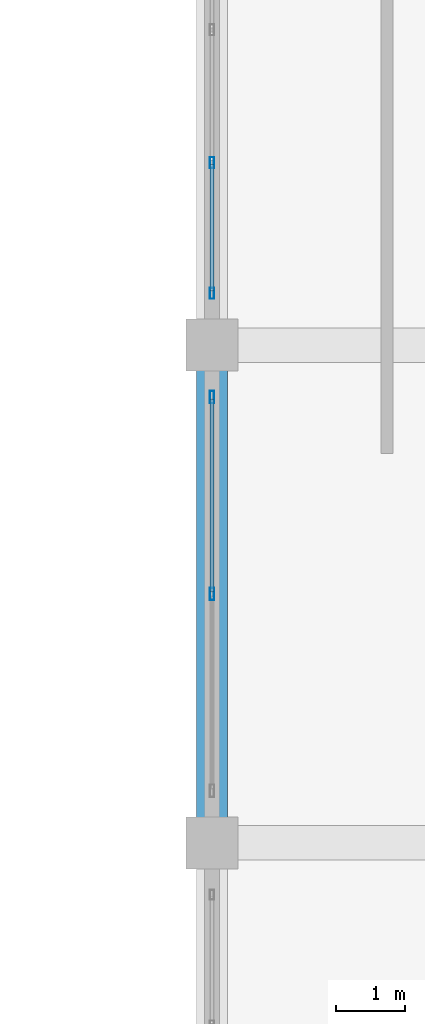
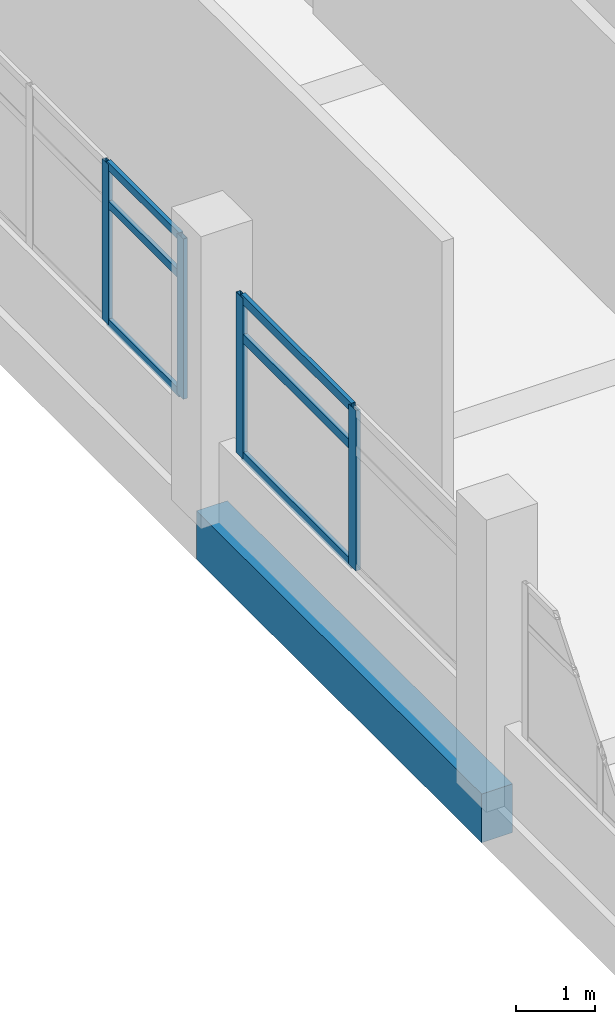
# One storey, part 49 of 141: 10 members, 1 beam, 2 elements without a shape of their own.
"""IFC4 building model written with IfcOpenShell, lengths in metres."""

import ifcopenshell
import ifcopenshell.guid

model = None  # the IFC model being written
_history = None  # IfcOwnerHistory: only IFC2X3 demands one
_inside = {}  # id of a spatial element -> (the spatial element, [elements in it])
_under = {}  # id of a project, library or spatial element -> (it, [spatial elements below it])
_declared = {}  # id of a project -> (the project, [libraries it declares])
_typed = {}  # id of a type object -> (the type object, [elements of that type])
_made_of = {}  # id of a material, layer set ... -> (it, [elements and type objects made of it])


def new_model(schema):
    """Start an empty IFC model of exactly this schema.

    Asked for "IFC4X3", IfcOpenShell would pick the latest addendum, in which some entities
    have other attributes; the version numbers below select the first issue.
    IFC2X3 requires an IfcOwnerHistory on every rooted entity: one is made here for all.
    """
    global model, _history
    if schema == "IFC4X3":
        model = ifcopenshell.file(schema_version=(4, 3, 0, 0))
    else:
        model = ifcopenshell.file(schema=schema)
    _inside.clear()
    _under.clear()
    _declared.clear()
    _typed.clear()
    _made_of.clear()
    _history = None
    if model.schema == "IFC2X3":
        org = make("IfcOrganization", Name="unknown")
        user = make(
            "IfcPersonAndOrganization",
            ThePerson=make("IfcPerson", FamilyName="unknown"),
            TheOrganization=org,
        )
        app = make(
            "IfcApplication",
            ApplicationDeveloper=org,
            Version="unknown",
            ApplicationFullName="unknown",
            ApplicationIdentifier="unknown",
        )
        _history = make(
            "IfcOwnerHistory",
            OwningUser=user,
            OwningApplication=app,
            ChangeAction="ADDED",
            CreationDate=0,
        )
    return model


def make(cls, **values):
    """One entity of the class cls with the attributes given. An attribute that is None is left unset."""
    return model.create_entity(
        cls, **{name: value for name, value in values.items() if value is not None}
    )


def rooted(cls, **values):
    """An entity with a GlobalId (a new one), such as an element, a storey or a relation."""
    return make(cls, GlobalId=ifcopenshell.guid.new(), OwnerHistory=_history, **values)


def si_unit(unit_type, name, prefix=None):
    """IfcSIUnit, for example si_unit("LENGTHUNIT", "METRE", prefix="MILLI")."""
    return make("IfcSIUnit", UnitType=unit_type, Prefix=prefix, Name=name)


def assignment(units):
    """IfcUnitAssignment: the units of a project."""
    return None if units is None else make("IfcUnitAssignment", Units=units)


def point(xyz):
    """IfcCartesianPoint."""
    return None if xyz is None else make("IfcCartesianPoint", Coordinates=xyz)


def direction(xyz):
    """IfcDirection."""
    return None if xyz is None else make("IfcDirection", DirectionRatios=xyz)


def frame(location, z_axis=None, x_axis=None):
    """IfcAxis2Placement3D, a coordinate frame: its origin and axes. An axis left out is left unset."""
    return make(
        "IfcAxis2Placement3D",
        Location=point(location),
        Axis=direction(z_axis),
        RefDirection=direction(x_axis),
    )


def frame_2d(location, x_axis=None):
    """IfcAxis2Placement2D, a coordinate frame in the plane: its origin and x axis."""
    return make(
        "IfcAxis2Placement2D", Location=point(location), RefDirection=direction(x_axis)
    )


def origin():
    """The frame at (0, 0, 0) with its axes left unset."""
    return frame((0.0, 0.0, 0.0))


def origin_2d():
    """The frame at (0, 0) in the plane with its x axis left unset."""
    return frame_2d((0.0, 0.0))


def place(relative_to, where):
    """IfcLocalPlacement: puts the frame where relative to a parent placement (None: the world)."""
    return make(
        "IfcLocalPlacement", PlacementRelTo=relative_to, RelativePlacement=where
    )


def context(
    kind, dimensions, precision=None, world=None, true_north=None, identifier=None
):
    """IfcGeometricRepresentationContext, for example the 3D "Model" context."""
    return make(
        "IfcGeometricRepresentationContext",
        ContextIdentifier=identifier,
        ContextType=kind,
        CoordinateSpaceDimension=dimensions,
        Precision=precision,
        WorldCoordinateSystem=world,
        TrueNorth=true_north,
    )


def subcontext(parent, identifier, kind, view, scale=None):
    """IfcGeometricRepresentationSubContext, for example "Body" below "Model"."""
    return make(
        "IfcGeometricRepresentationSubContext",
        ContextIdentifier=identifier,
        ContextType=kind,
        ParentContext=parent,
        TargetScale=scale,
        TargetView=view,
    )


def project(units=None, contexts=None):
    """IfcProject with its units and contexts."""
    return rooted(
        "IfcProject",
        Name="project",
        RepresentationContexts=contexts,
        UnitsInContext=assignment(units),
    )


def spatial(cls, under=None, at=None, **own):
    """A site, building, storey or space (cls), placed at a placement, below another one or the project."""
    s = rooted(cls, ObjectPlacement=at, **own)
    if under is not None:
        _under.setdefault(under.id(), (under, []))[1].append(s)
    return s


def profile(cls, at=None, kind="AREA", **sizes):
    """A parametric profile (cls). Its sizes go by their IFC names, for example OverallWidth=200.0."""
    return make(cls, ProfileType=kind, Position=at, **sizes)


def rectangle(**sizes):
    """IfcRectangleProfileDef."""
    return profile("IfcRectangleProfileDef", **sizes)


def hollow_rectangle(**sizes):
    """IfcRectangleHollowProfileDef."""
    return profile("IfcRectangleHollowProfileDef", **sizes)


def extrude(swept, where, along, depth):
    """IfcExtrudedAreaSolid: the profile swept, set in the frame where, extruded along a direction by depth."""
    return make(
        "IfcExtrudedAreaSolid",
        SweptArea=swept,
        Position=where,
        ExtrudedDirection=direction(along),
        Depth=depth,
    )


def shape(context_of_items, identifier, shape_type, items):
    """IfcShapeRepresentation: the items that make up one representation, for example the "Body"."""
    return make(
        "IfcShapeRepresentation",
        ContextOfItems=context_of_items,
        RepresentationIdentifier=identifier,
        RepresentationType=shape_type,
        Items=items,
    )


def material(Name=None, Category=None):
    """IfcMaterial."""
    return make("IfcMaterial", Name=Name, Category=Category)


def layer(
    of_material, thickness, ventilated=None, Name=None, Category=None, Priority=None
):
    """IfcMaterialLayer: one layer of a wall or slab, of a material (None: an air gap)."""
    return make(
        "IfcMaterialLayer",
        Material=of_material,
        LayerThickness=thickness,
        IsVentilated=ventilated,
        Name=Name,
        Category=Category,
        Priority=Priority,
    )


def layer_set(layers, Name=None):
    """IfcMaterialLayerSet."""
    return make("IfcMaterialLayerSet", MaterialLayers=layers, LayerSetName=Name)


def material_profile(
    of_material, cross_section, Name=None, Category=None, Priority=None
):
    """IfcMaterialProfile: a cross section and its material."""
    return make(
        "IfcMaterialProfile",
        Name=Name,
        Material=of_material,
        Profile=cross_section,
        Priority=Priority,
        Category=Category,
    )


def profile_set(profiles, Name=None, composite=None):
    """IfcMaterialProfileSet."""
    return make(
        "IfcMaterialProfileSet",
        Name=Name,
        MaterialProfiles=profiles,
        CompositeProfile=composite,
    )


def made_of(thing, what):
    """Note that an element or type object is made of a material, layer set ...; save() writes the relation."""
    if what is not None:
        _made_of.setdefault(what.id(), (what, []))[1].append(thing)
    return thing


def type_object(cls, material=None, **own):
    """A type object (cls), such as IfcWallType, which elements share."""
    return made_of(rooted(cls, **own), material)


def element(
    cls,
    number,
    at=None,
    inside=None,
    cuts=None,
    type_object=None,
    material=None,
    context=None,
    identifier="Body",
    shape_type=None,
    held_by="IfcProductDefinitionShape",
    body=None,
    shapes=None,
    **own,
):
    """One element of the class cls, such as IfcWall. Its Tag is "e" and its number.

    at: its placement. inside: the storey or other place that contains it. cuts: it is an
    opening in that element (IfcRelVoidsElement). A single representation is given by context,
    identifier, shape_type and body (its items); several are given by shapes. held_by: the class
    of the entity that holds the representations. save() writes the other relations.
    """
    e = rooted(cls, Tag="e%d" % number, ObjectPlacement=at, **own)
    if body is not None:
        shapes = [shape(context, identifier, shape_type, body)]
    if shapes is not None:
        e.Representation = make(held_by, Representations=shapes)
    if inside is not None:
        _inside.setdefault(inside.id(), (inside, []))[1].append(e)
    if cuts is not None:
        rooted(
            "IfcRelVoidsElement", RelatingBuildingElement=cuts, RelatedOpeningElement=e
        )
    if type_object is not None:
        _typed.setdefault(type_object.id(), (type_object, []))[1].append(e)
    return made_of(e, material)


def aggregate(whole, parts):
    """IfcRelAggregates: a whole, such as a stair, and the parts it consists of."""
    return rooted("IfcRelAggregates", RelatingObject=whole, RelatedObjects=parts)


def save(model, path):
    """Write the relations noted so far, then the file.

    IfcRelAggregates (storeys below a building ...), IfcRelContainedInSpatialStructure (elements
    in a storey), IfcRelDefinesByType, IfcRelAssociatesMaterial and IfcRelDeclares: one each for
    every whole, place, type object, material and project.
    """
    for whole, parts in _under.values():
        aggregate(whole, parts)
    for where, things in _inside.values():
        rooted(
            "IfcRelContainedInSpatialStructure",
            RelatedElements=things,
            RelatingStructure=where,
        )
    for kind, things in _typed.values():
        rooted("IfcRelDefinesByType", RelatedObjects=things, RelatingType=kind)
    for what, things in _made_of.values():
        rooted("IfcRelAssociatesMaterial", RelatedObjects=things, RelatingMaterial=what)
    for by, libraries in _declared.values():
        rooted("IfcRelDeclares", RelatingContext=by, RelatedDefinitions=libraries)
    model.write(path)


model = new_model("IFC4")

# Units and contexts
model_context = context("Model", 3, precision=1e-05, world=origin(), true_north=direction((0.0, 1.0)))
body_context = subcontext(model_context, "Body", "Model", "MODEL_VIEW")
ifc_project = project(units=[si_unit("LENGTHUNIT", "METRE"), si_unit("AREAUNIT", "SQUARE_METRE"), si_unit("VOLUMEUNIT", "CUBIC_METRE"), si_unit("PLANEANGLEUNIT", "RADIAN"), si_unit("MASSUNIT", "GRAM", prefix="KILO")], contexts=[model_context])

# Site, building, storey
site_placement = place(None, origin())
site = spatial("IfcSite", under=ifc_project, at=site_placement, CompositionType="ELEMENT")
building_placement = place(site_placement, origin())
building = spatial("IfcBuilding", under=site, at=building_placement, Name="Seraya Terrace Polytechnic", CompositionType="ELEMENT")
storey_placement = place(building_placement, frame((0.0, 0.0, 14.39990234375)))
storey = spatial("IfcBuildingStorey", under=building, at=storey_placement, Name="L03", CompositionType="ELEMENT", Elevation=14.39990234375)

# Beam
ifc_material_1 = material(Name="Concrete C40/50", Category="concrete")
ifc_material_profile_1 = material_profile(ifc_material_1, rectangle(XDim=0.449951171875, YDim=0.75, at=origin_2d()), Name="RC 450x750")
ifc_profile_set_1 = profile_set([ifc_material_profile_1], Name="Concrete C40/50")
beam_type = type_object("IfcBeamType", Name="BM-08", PredefinedType="BEAM", material=ifc_profile_set_1)
beam_placement = place(storey_placement, frame((79.199951171875, 50.39990234375, -0.375), z_axis=(0.0, 1.0, 0.0), x_axis=(-1.0, 0.0, 0.0)))
element("IfcBeam", 1, at=beam_placement, inside=storey, type_object=beam_type, Name="Beam BM-08 L03 Y (79.2, 50.4..57.6)", PredefinedType="BEAM", context=body_context, shape_type="SweptSolid", body=[
    extrude(rectangle(XDim=0.449951171875, YDim=0.75, at=origin_2d()), origin(), (0.0, 0.0, 1.0), 7.2001953125),
])

# Curtain wall, members
ifc_material_2 = material(Name="Anodised aluminium EN AW-6063 T6", Category="aluminium")
ifc_layer_1 = layer(ifc_material_2, 0.179931640625, Name="CW-31")
ifc_layer_set_1 = layer_set([ifc_layer_1], Name="Anodised aluminium EN AW-6063 T6")
curtain_wall_type_1 = type_object("IfcCurtainWallType", Name="CW-31", PredefinedType="NOTDEFINED", material=ifc_layer_set_1)
curtain_wall_1_placement = place(storey_placement, origin())
curtain_wall_1 = element("IfcCurtainWall", 2, at=curtain_wall_1_placement, inside=storey, type_object=curtain_wall_type_1, Name="Unitised curtain wall CW-31 (CW-L03-139)", PredefinedType="NOTDEFINED")
ifc_material_profile_2 = material_profile(ifc_material_2, hollow_rectangle(XDim=0.06494140625, YDim=0.179931640625, WallThickness=0.00390625, at=origin_2d()), Name="RHS 180x65x4.0")
ifc_profile_set_2 = profile_set([ifc_material_profile_2], Name="Anodised aluminium EN AW-6063 T6")
member_type_1 = type_object("IfcMemberType", Name="CWM-01", PredefinedType="MULLION", material=ifc_profile_set_2)
member_1_placement = place(storey_placement, frame((79.199951171875, 54.0, 1.239990234375), z_axis=(0.0, 0.0, 1.0), x_axis=(-1.0, 0.0, 0.0)))
member_1 = element("IfcMember", 3, at=member_1_placement, type_object=member_type_1, Name="CW-31 mullion 2", PredefinedType="MULLION", context=body_context, shape_type="SweptSolid", body=[
    extrude(hollow_rectangle(XDim=0.06494140625, YDim=0.179931640625, WallThickness=0.00390625, at=origin_2d()), origin(), (0.0, 0.0, 1.0), 2.47021484375),
])
member_2_placement = place(storey_placement, frame((79.199951171875, 56.847412109375, 1.239990234375), z_axis=(0.0, 0.0, 1.0), x_axis=(-1.0, 0.0, 0.0)))
member_2 = element("IfcMember", 4, at=member_2_placement, type_object=member_type_1, Name="CW-31 mullion 3", PredefinedType="MULLION", context=body_context, shape_type="SweptSolid", body=[
    extrude(hollow_rectangle(XDim=0.06494140625, YDim=0.179931640625, WallThickness=0.00390625, at=origin_2d()), origin(), (0.0, 0.0, 1.0), 2.47021484375),
])

ifc_layer_2 = layer(ifc_material_2, 0.179931640625, Name="CW-32")
ifc_layer_set_2 = layer_set([ifc_layer_2], Name="Anodised aluminium EN AW-6063 T6")
curtain_wall_type_2 = type_object("IfcCurtainWallType", Name="CW-32", PredefinedType="NOTDEFINED", material=ifc_layer_set_2)
curtain_wall_2_placement = place(storey_placement, origin())
curtain_wall_2 = element("IfcCurtainWall", 5, at=curtain_wall_2_placement, inside=storey, type_object=curtain_wall_type_2, Name="Unitised curtain wall CW-32 (CW-L03-140)", PredefinedType="NOTDEFINED")
ifc_material_profile_3 = material_profile(ifc_material_2, hollow_rectangle(XDim=0.06005859375, YDim=0.159912109375, WallThickness=0.00341796875, at=origin_2d()), Name="RHS 160x60x3.5")
ifc_profile_set_3 = profile_set([ifc_material_profile_3], Name="Anodised aluminium EN AW-6063 T6")
member_type_2 = type_object("IfcMemberType", Name="CWM-02", PredefinedType="MULLION", material=ifc_profile_set_3)
member_3_placement = place(storey_placement, frame((79.199951171875, 58.35009765625, 1.239990234375), z_axis=(0.0, 0.0, 1.0), x_axis=(-1.0, 0.0, 0.0)))
member_3 = element("IfcMember", 6, at=member_3_placement, type_object=member_type_2, Name="CW-32 mullion 1", PredefinedType="MULLION", context=body_context, shape_type="SweptSolid", body=[
    extrude(hollow_rectangle(XDim=0.06005859375, YDim=0.159912109375, WallThickness=0.00341796875, at=origin_2d()), origin(), (0.0, 0.0, 1.0), 2.47021484375),
])
member_4_placement = place(storey_placement, frame((79.199951171875, 60.239990234375, 1.239990234375), z_axis=(0.0, 0.0, 1.0), x_axis=(-1.0, 0.0, 0.0)))
member_4 = element("IfcMember", 7, at=member_4_placement, type_object=member_type_2, Name="CW-32 mullion 2", PredefinedType="MULLION", context=body_context, shape_type="SweptSolid", body=[
    extrude(hollow_rectangle(XDim=0.06005859375, YDim=0.159912109375, WallThickness=0.00341796875, at=origin_2d()), origin(), (0.0, 0.0, 1.0), 2.47021484375),
])

# Member
ifc_material_profile_4 = material_profile(ifc_material_2, hollow_rectangle(XDim=0.06005859375, YDim=0.139892578125, WallThickness=0.00341796875, at=origin_2d()), Name="RHS 140x60x3.5")
ifc_profile_set_4 = profile_set([ifc_material_profile_4], Name="Anodised aluminium EN AW-6063 T6")
member_type_3 = type_object("IfcMemberType", Name="CWT-01", PredefinedType="USERDEFINED", material=ifc_profile_set_4)
member_5_placement = place(storey_placement, frame((79.199951171875, 54.032470703125, 1.27001953125), z_axis=(0.0, 1.0, 0.0), x_axis=(-1.0, 0.0, 0.0)))
member_5 = element("IfcMember", 8, at=member_5_placement, type_object=member_type_3, Name="CW-31 transom 2.1", ObjectType="TRANSOM", PredefinedType="USERDEFINED", context=body_context, shape_type="SweptSolid", body=[
    extrude(hollow_rectangle(XDim=0.06005859375, YDim=0.139892578125, WallThickness=0.00341796875, at=origin_2d()), origin(), (0.0, 0.0, 1.0), 2.782470703125),
])

member_6_placement = place(storey_placement, frame((79.199951171875, 54.032470703125, 3.090087890625), z_axis=(0.0, 1.0, 0.0), x_axis=(-1.0, 0.0, 0.0)))
member_6 = element("IfcMember", 9, at=member_6_placement, type_object=member_type_3, Name="CW-31 transom 2.2", ObjectType="TRANSOM", PredefinedType="USERDEFINED", context=body_context, shape_type="SweptSolid", body=[
    extrude(hollow_rectangle(XDim=0.06005859375, YDim=0.139892578125, WallThickness=0.00341796875, at=origin_2d()), origin(), (0.0, 0.0, 1.0), 2.782470703125),
])

member_7_placement = place(storey_placement, frame((79.199951171875, 54.032470703125, 3.68017578125), z_axis=(0.0, 1.0, 0.0), x_axis=(-1.0, 0.0, 0.0)))
member_7 = element("IfcMember", 10, at=member_7_placement, type_object=member_type_3, Name="CW-31 transom 2.3", ObjectType="TRANSOM", PredefinedType="USERDEFINED", context=body_context, shape_type="SweptSolid", body=[
    extrude(hollow_rectangle(XDim=0.06005859375, YDim=0.139892578125, WallThickness=0.00341796875, at=origin_2d()), origin(), (0.0, 0.0, 1.0), 2.782470703125),
])

aggregate(curtain_wall_1, [member_1, member_2, member_5, member_6, member_7])

ifc_material_profile_5 = material_profile(ifc_material_2, hollow_rectangle(XDim=0.06005859375, YDim=0.1201171875, WallThickness=0.003173828125, at=origin_2d()), Name="RHS 120x60x3.2")
ifc_profile_set_5 = profile_set([ifc_material_profile_5], Name="Anodised aluminium EN AW-6063 T6")
member_type_4 = type_object("IfcMemberType", Name="CWT-02", PredefinedType="USERDEFINED", material=ifc_profile_set_5)
member_8_placement = place(storey_placement, frame((79.199951171875, 58.3798828125, 1.27001953125), z_axis=(0.0, 1.0, 0.0), x_axis=(-1.0, 0.0, 0.0)))
member_8 = element("IfcMember", 11, at=member_8_placement, type_object=member_type_4, Name="CW-32 transom 1.1", ObjectType="TRANSOM", PredefinedType="USERDEFINED", context=body_context, shape_type="SweptSolid", body=[
    extrude(hollow_rectangle(XDim=0.06005859375, YDim=0.1201171875, WallThickness=0.003173828125, at=origin_2d()), origin(), (0.0, 0.0, 1.0), 1.830078125),
])

member_9_placement = place(storey_placement, frame((79.199951171875, 58.3798828125, 3.090087890625), z_axis=(0.0, 1.0, 0.0), x_axis=(-1.0, 0.0, 0.0)))
member_9 = element("IfcMember", 12, at=member_9_placement, type_object=member_type_4, Name="CW-32 transom 1.2", ObjectType="TRANSOM", PredefinedType="USERDEFINED", context=body_context, shape_type="SweptSolid", body=[
    extrude(hollow_rectangle(XDim=0.06005859375, YDim=0.1201171875, WallThickness=0.003173828125, at=origin_2d()), origin(), (0.0, 0.0, 1.0), 1.830078125),
])

member_10_placement = place(storey_placement, frame((79.199951171875, 58.3798828125, 3.68017578125), z_axis=(0.0, 1.0, 0.0), x_axis=(-1.0, 0.0, 0.0)))
member_10 = element("IfcMember", 13, at=member_10_placement, type_object=member_type_4, Name="CW-32 transom 1.3", ObjectType="TRANSOM", PredefinedType="USERDEFINED", context=body_context, shape_type="SweptSolid", body=[
    extrude(hollow_rectangle(XDim=0.06005859375, YDim=0.1201171875, WallThickness=0.003173828125, at=origin_2d()), origin(), (0.0, 0.0, 1.0), 1.830078125),
])

aggregate(curtain_wall_2, [member_3, member_4, member_8, member_9, member_10])

save(model, "model.ifc")
